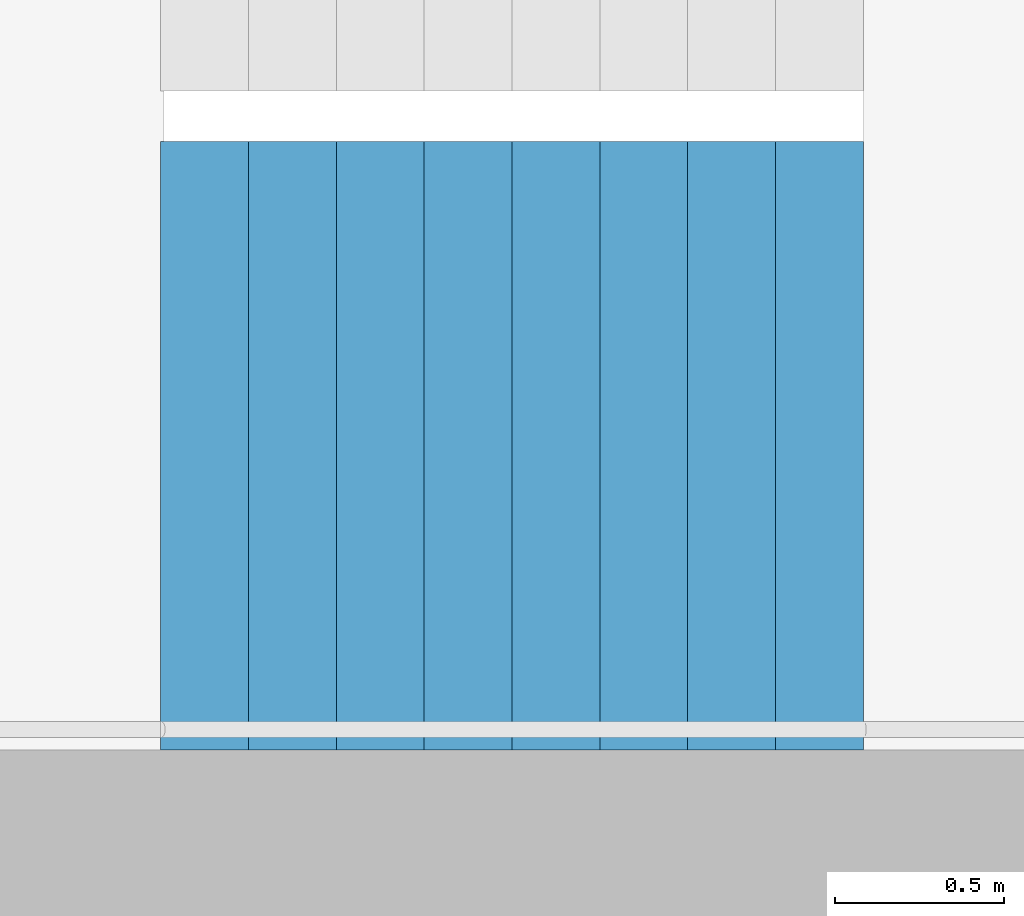
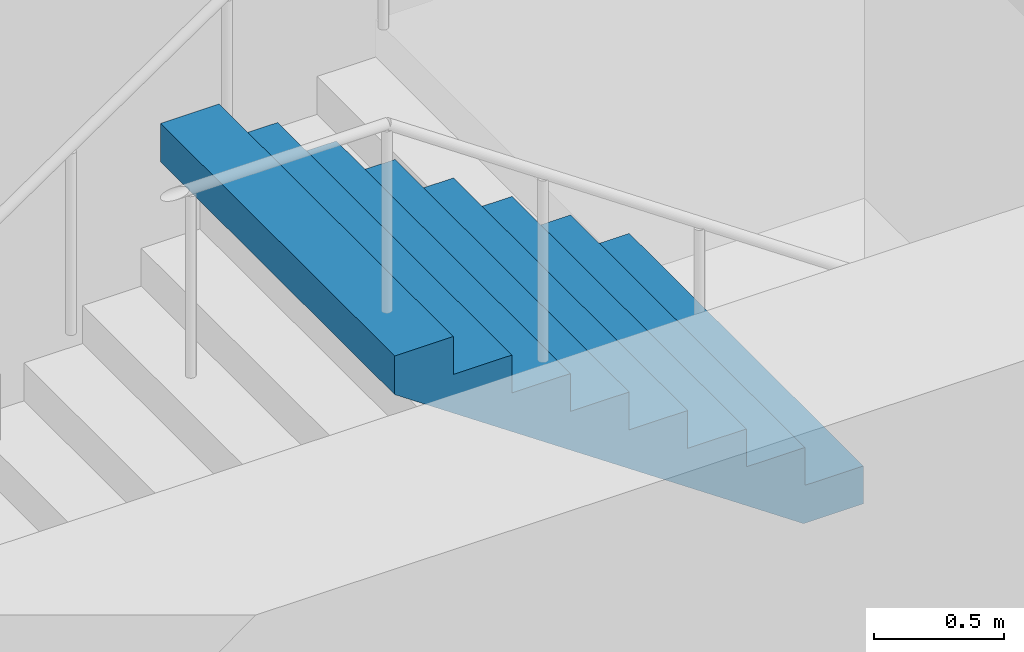
# One storey, part 22 of 26: 1 stair flight, 1 element without a shape of its own.
"""IFC4 building model written with IfcOpenShell, lengths in metres."""

from ifc_helpers import new_model, si_unit, direction, frame, origin, place, context, subcontext, project, spatial, triangles, material, type_object, element, aggregate, save


model = new_model("IFC4")

# Units and contexts
model_context = context("Model", 3, precision=1e-05, world=origin(), true_north=direction((0.0, 1.0)))
body_context = subcontext(model_context, "Body", "Model", "MODEL_VIEW")
ifc_project = project(units=[si_unit("LENGTHUNIT", "METRE"), si_unit("AREAUNIT", "SQUARE_METRE"), si_unit("VOLUMEUNIT", "CUBIC_METRE"), si_unit("PLANEANGLEUNIT", "RADIAN"), si_unit("MASSUNIT", "GRAM", prefix="KILO")], contexts=[model_context])

# Site, building, storey
site_placement = place(None, origin())
site = spatial("IfcSite", under=ifc_project, at=site_placement, CompositionType="ELEMENT")
building_placement = place(site_placement, origin())
building = spatial("IfcBuilding", under=site, at=building_placement, Name="Hakoniwa Tower and Hamabe Station Hall", CompositionType="ELEMENT")
storey_placement = place(building_placement, frame((0.0, 0.0, 156.60009765625)))
storey = spatial("IfcBuildingStorey", under=building, at=storey_placement, Name="L44", CompositionType="ELEMENT", Elevation=156.60009765625)

# Stair, stair flight
ifc_material_1 = material(Name="Concrete C40", Category="concrete")
stair_type = type_object("IfcStairType", Name="ESCAPE STAIR 1800", PredefinedType="HALF_TURN_STAIR", material=ifc_material_1)
stair_placement = place(storey_placement, origin())
stair = element("IfcStair", 1, at=stair_placement, inside=storey, type_object=stair_type, Name="Escape stair ST-4 L44", PredefinedType="HALF_TURN_STAIR")
ifc_material_2 = material(Name="Concrete C40", Category="concrete")
stair_flight_type = type_object("IfcStairFlightType", Name="STAIR FLIGHT 1800", PredefinedType="STRAIGHT", material=ifc_material_2)
stair_flight_placement = place(storey_placement, frame((25.47998046875, -6.60009765625, 1.599853515625), z_axis=(0.0, 0.0, 1.0), x_axis=(-1.0, 0.0, 0.0)))
stair_flight = element("IfcStairFlight", 2, at=stair_flight_placement, type_object=stair_flight_type, Name="ST-4 flight 2", NumberOfRisers=9, NumberOfTreads=8, PredefinedType="STRAIGHT", RiserHeight=0.177777778, TreadLength=0.26, context=body_context, shape_type="Tessellation", body=[
    triangles([(0.0, 0.89990234375, 0.0), (0.260009765625, 0.89990234375, 0.0), (0.265625, 0.89990234375, 0.0), (0.52001953125, 0.89990234375, 0.174072265625), (0.780029296875, 0.89990234375, 0.351806640625), (1.0400390625, 0.89990234375, 0.529541015625), (1.300048828125, 0.89990234375, 0.707275390625), (1.56005859375, 0.89990234375, 0.885009765625), (1.820068359375, 0.89990234375, 1.062744140625), (2.080078125, 0.89990234375, 1.24072265625), (2.080078125, 0.89990234375, 1.422119140625), (1.820068359375, 0.89990234375, 1.422119140625), (1.820068359375, 0.89990234375, 1.244384765625), (1.56005859375, 0.89990234375, 1.244384765625), (1.56005859375, 0.89990234375, 1.066650390625), (1.300048828125, 0.89990234375, 1.066650390625), (1.300048828125, 0.89990234375, 0.888916015625), (1.0400390625, 0.89990234375, 0.888916015625), (1.0400390625, 0.89990234375, 0.711181640625), (0.780029296875, 0.89990234375, 0.711181640625), (0.780029296875, 0.89990234375, 0.533447265625), (0.52001953125, 0.89990234375, 0.533447265625), (0.52001953125, 0.89990234375, 0.35546875), (0.265625, 0.89990234375, 0.35546875), (0.260009765625, 0.89990234375, 0.35546875), (0.260009765625, 0.89990234375, 0.177734375), (0.0, 0.89990234375, 0.177734375), (0.0, 0.06005859375, 0.0), (0.260009765625, 0.06005859375, 0.0), (0.265625, 0.06005859375, 0.0), (0.52001953125, 0.06005859375, 0.174072265625), (0.780029296875, 0.06005859375, 0.351806640625), (1.0400390625, 0.06005859375, 0.529541015625), (1.300048828125, 0.06005859375, 0.707275390625), (1.56005859375, 0.06005859375, 0.885009765625), (1.820068359375, 0.06005859375, 1.062744140625), (2.080078125, 0.06005859375, 1.24072265625), (2.080078125, 0.06005859375, 1.422119140625), (1.820068359375, 0.06005859375, 1.422119140625), (1.820068359375, 0.06005859375, 1.244384765625), (1.56005859375, 0.06005859375, 1.244384765625), (1.56005859375, 0.06005859375, 1.066650390625), (1.300048828125, 0.06005859375, 1.066650390625), (1.300048828125, 0.06005859375, 0.888916015625), (1.0400390625, 0.06005859375, 0.888916015625), (1.0400390625, 0.06005859375, 0.711181640625), (0.780029296875, 0.06005859375, 0.711181640625), (0.780029296875, 0.06005859375, 0.533447265625), (0.52001953125, 0.06005859375, 0.533447265625), (0.52001953125, 0.06005859375, 0.35546875), (0.265625, 0.06005859375, 0.35546875), (0.260009765625, 0.06005859375, 0.35546875), (0.260009765625, 0.06005859375, 0.177734375), (0.0, 0.06005859375, 0.177734375), (0.0, 0.04296875, 0.0), (0.260009765625, 0.04296875, 0.0), (0.265625, 0.04296875, 0.0), (0.52001953125, 0.04296875, 0.174072265625), (0.780029296875, 0.04296875, 0.351806640625), (1.0400390625, 0.04296875, 0.529541015625), (1.300048828125, 0.04296875, 0.707275390625), (1.56005859375, 0.04296875, 0.885009765625), (1.820068359375, 0.04296875, 1.062744140625), (2.080078125, 0.04296875, 1.24072265625), (2.080078125, 0.04296875, 1.422119140625), (1.820068359375, 0.04296875, 1.422119140625), (1.820068359375, 0.04296875, 1.244384765625), (1.56005859375, 0.04296875, 1.244384765625), (1.56005859375, 0.04296875, 1.066650390625), (1.300048828125, 0.04296875, 1.066650390625), (1.300048828125, 0.04296875, 0.888916015625), (1.0400390625, 0.04296875, 0.888916015625), (1.0400390625, 0.04296875, 0.711181640625), (0.780029296875, 0.04296875, 0.711181640625), (0.780029296875, 0.04296875, 0.533447265625), (0.52001953125, 0.04296875, 0.533447265625), (0.52001953125, 0.04296875, 0.35546875), (0.265625, 0.04296875, 0.35546875), (0.260009765625, 0.04296875, 0.35546875), (0.260009765625, 0.04296875, 0.177734375), (0.0, 0.04296875, 0.177734375), (0.0, 0.025634765625, 0.0), (0.260009765625, 0.025634765625, 0.0), (0.265625, 0.025634765625, 0.0), (0.52001953125, 0.025634765625, 0.174072265625), (0.780029296875, 0.025634765625, 0.351806640625), (1.0400390625, 0.025634765625, 0.529541015625), (1.300048828125, 0.025634765625, 0.707275390625), (1.56005859375, 0.025634765625, 0.885009765625), (1.820068359375, 0.025634765625, 1.062744140625), (2.080078125, 0.025634765625, 1.24072265625), (2.080078125, 0.025634765625, 1.422119140625), (1.820068359375, 0.025634765625, 1.422119140625), (1.820068359375, 0.025634765625, 1.244384765625), (1.56005859375, 0.025634765625, 1.244384765625), (1.56005859375, 0.025634765625, 1.066650390625), (1.300048828125, 0.025634765625, 1.066650390625), (1.300048828125, 0.025634765625, 0.888916015625), (1.0400390625, 0.025634765625, 0.888916015625), (1.0400390625, 0.025634765625, 0.711181640625), (0.780029296875, 0.025634765625, 0.711181640625), (0.780029296875, 0.025634765625, 0.533447265625), (0.52001953125, 0.025634765625, 0.533447265625), (0.52001953125, 0.025634765625, 0.35546875), (0.265625, 0.025634765625, 0.35546875), (0.260009765625, 0.025634765625, 0.35546875), (0.260009765625, 0.025634765625, 0.177734375), (0.0, 0.025634765625, 0.177734375), (0.0, 0.008544921875, 0.0), (0.260009765625, 0.008544921875, 0.0), (0.265625, 0.008544921875, 0.0), (0.52001953125, 0.008544921875, 0.174072265625), (0.780029296875, 0.008544921875, 0.351806640625), (1.0400390625, 0.008544921875, 0.529541015625), (1.300048828125, 0.008544921875, 0.707275390625), (1.56005859375, 0.008544921875, 0.885009765625), (1.820068359375, 0.008544921875, 1.062744140625), (2.080078125, 0.008544921875, 1.24072265625), (2.080078125, 0.008544921875, 1.422119140625), (1.820068359375, 0.008544921875, 1.422119140625), (1.820068359375, 0.008544921875, 1.244384765625), (1.56005859375, 0.008544921875, 1.244384765625), (1.56005859375, 0.008544921875, 1.066650390625), (1.300048828125, 0.008544921875, 1.066650390625), (1.300048828125, 0.008544921875, 0.888916015625), (1.0400390625, 0.008544921875, 0.888916015625), (1.0400390625, 0.008544921875, 0.711181640625), (0.780029296875, 0.008544921875, 0.711181640625), (0.780029296875, 0.008544921875, 0.533447265625), (0.52001953125, 0.008544921875, 0.533447265625), (0.52001953125, 0.008544921875, 0.35546875), (0.265625, 0.008544921875, 0.35546875), (0.260009765625, 0.008544921875, 0.35546875), (0.260009765625, 0.008544921875, 0.177734375), (0.0, 0.008544921875, 0.177734375), (0.0, -0.008544921875, 0.0), (0.260009765625, -0.008544921875, 0.0), (0.265625, -0.008544921875, 0.0), (0.52001953125, -0.008544921875, 0.174072265625), (0.780029296875, -0.008544921875, 0.351806640625), (1.0400390625, -0.008544921875, 0.529541015625), (1.300048828125, -0.008544921875, 0.707275390625), (1.56005859375, -0.008544921875, 0.885009765625), (1.820068359375, -0.008544921875, 1.062744140625), (2.080078125, -0.008544921875, 1.24072265625), (2.080078125, -0.008544921875, 1.422119140625), (1.820068359375, -0.008544921875, 1.422119140625), (1.820068359375, -0.008544921875, 1.244384765625), (1.56005859375, -0.008544921875, 1.244384765625), (1.56005859375, -0.008544921875, 1.066650390625), (1.300048828125, -0.008544921875, 1.066650390625), (1.300048828125, -0.008544921875, 0.888916015625), (1.0400390625, -0.008544921875, 0.888916015625), (1.0400390625, -0.008544921875, 0.711181640625), (0.780029296875, -0.008544921875, 0.711181640625), (0.780029296875, -0.008544921875, 0.533447265625), (0.52001953125, -0.008544921875, 0.533447265625), (0.52001953125, -0.008544921875, 0.35546875), (0.265625, -0.008544921875, 0.35546875), (0.260009765625, -0.008544921875, 0.35546875), (0.260009765625, -0.008544921875, 0.177734375), (0.0, -0.008544921875, 0.177734375), (0.0, -0.025634765625, 0.0), (0.260009765625, -0.025634765625, 0.0), (0.265625, -0.025634765625, 0.0), (0.52001953125, -0.025634765625, 0.174072265625), (0.780029296875, -0.025634765625, 0.351806640625), (1.0400390625, -0.025634765625, 0.529541015625), (1.300048828125, -0.025634765625, 0.707275390625), (1.56005859375, -0.025634765625, 0.885009765625), (1.820068359375, -0.025634765625, 1.062744140625), (2.080078125, -0.025634765625, 1.24072265625), (2.080078125, -0.025634765625, 1.422119140625), (1.820068359375, -0.025634765625, 1.422119140625), (1.820068359375, -0.025634765625, 1.244384765625), (1.56005859375, -0.025634765625, 1.244384765625), (1.56005859375, -0.025634765625, 1.066650390625), (1.300048828125, -0.025634765625, 1.066650390625), (1.300048828125, -0.025634765625, 0.888916015625), (1.0400390625, -0.025634765625, 0.888916015625), (1.0400390625, -0.025634765625, 0.711181640625), (0.780029296875, -0.025634765625, 0.711181640625), (0.780029296875, -0.025634765625, 0.533447265625), (0.52001953125, -0.025634765625, 0.533447265625), (0.52001953125, -0.025634765625, 0.35546875), (0.265625, -0.025634765625, 0.35546875), (0.260009765625, -0.025634765625, 0.35546875), (0.260009765625, -0.025634765625, 0.177734375), (0.0, -0.025634765625, 0.177734375), (0.0, -0.04296875, 0.0), (0.260009765625, -0.04296875, 0.0), (0.265625, -0.04296875, 0.0), (0.52001953125, -0.04296875, 0.174072265625), (0.780029296875, -0.04296875, 0.351806640625), (1.0400390625, -0.04296875, 0.529541015625), (1.300048828125, -0.04296875, 0.707275390625), (1.56005859375, -0.04296875, 0.885009765625), (1.820068359375, -0.04296875, 1.062744140625), (2.080078125, -0.04296875, 1.24072265625), (2.080078125, -0.04296875, 1.422119140625), (1.820068359375, -0.04296875, 1.422119140625), (1.820068359375, -0.04296875, 1.244384765625), (1.56005859375, -0.04296875, 1.244384765625), (1.56005859375, -0.04296875, 1.066650390625), (1.300048828125, -0.04296875, 1.066650390625), (1.300048828125, -0.04296875, 0.888916015625), (1.0400390625, -0.04296875, 0.888916015625), (1.0400390625, -0.04296875, 0.711181640625), (0.780029296875, -0.04296875, 0.711181640625), (0.780029296875, -0.04296875, 0.533447265625), (0.52001953125, -0.04296875, 0.533447265625), (0.52001953125, -0.04296875, 0.35546875), (0.265625, -0.04296875, 0.35546875), (0.260009765625, -0.04296875, 0.35546875), (0.260009765625, -0.04296875, 0.177734375), (0.0, -0.04296875, 0.177734375), (0.0, -0.06005859375, 0.0), (0.260009765625, -0.06005859375, 0.0), (0.265625, -0.06005859375, 0.0), (0.52001953125, -0.06005859375, 0.174072265625), (0.780029296875, -0.06005859375, 0.351806640625), (1.0400390625, -0.06005859375, 0.529541015625), (1.300048828125, -0.06005859375, 0.707275390625), (1.56005859375, -0.06005859375, 0.885009765625), (1.820068359375, -0.06005859375, 1.062744140625), (2.080078125, -0.06005859375, 1.24072265625), (2.080078125, -0.06005859375, 1.422119140625), (1.820068359375, -0.06005859375, 1.422119140625), (1.820068359375, -0.06005859375, 1.244384765625), (1.56005859375, -0.06005859375, 1.244384765625), (1.56005859375, -0.06005859375, 1.066650390625), (1.300048828125, -0.06005859375, 1.066650390625), (1.300048828125, -0.06005859375, 0.888916015625), (1.0400390625, -0.06005859375, 0.888916015625), (1.0400390625, -0.06005859375, 0.711181640625), (0.780029296875, -0.06005859375, 0.711181640625), (0.780029296875, -0.06005859375, 0.533447265625), (0.52001953125, -0.06005859375, 0.533447265625), (0.52001953125, -0.06005859375, 0.35546875), (0.265625, -0.06005859375, 0.35546875), (0.260009765625, -0.06005859375, 0.35546875), (0.260009765625, -0.06005859375, 0.177734375), (0.0, -0.06005859375, 0.177734375), (0.0, -0.89990234375, 0.0), (0.260009765625, -0.89990234375, 0.0), (0.265625, -0.89990234375, 0.0), (0.52001953125, -0.89990234375, 0.174072265625), (0.780029296875, -0.89990234375, 0.351806640625), (1.0400390625, -0.89990234375, 0.529541015625), (1.300048828125, -0.89990234375, 0.707275390625), (1.56005859375, -0.89990234375, 0.885009765625), (1.820068359375, -0.89990234375, 1.062744140625), (2.080078125, -0.89990234375, 1.24072265625), (2.080078125, -0.89990234375, 1.422119140625), (1.820068359375, -0.89990234375, 1.422119140625), (1.820068359375, -0.89990234375, 1.244384765625), (1.56005859375, -0.89990234375, 1.244384765625), (1.56005859375, -0.89990234375, 1.066650390625), (1.300048828125, -0.89990234375, 1.066650390625), (1.300048828125, -0.89990234375, 0.888916015625), (1.0400390625, -0.89990234375, 0.888916015625), (1.0400390625, -0.89990234375, 0.711181640625), (0.780029296875, -0.89990234375, 0.711181640625), (0.780029296875, -0.89990234375, 0.533447265625), (0.52001953125, -0.89990234375, 0.533447265625), (0.52001953125, -0.89990234375, 0.35546875), (0.265625, -0.89990234375, 0.35546875), (0.260009765625, -0.89990234375, 0.35546875), (0.260009765625, -0.89990234375, 0.177734375), (0.0, -0.89990234375, 0.177734375)], [[2, 27, 26], [245, 269, 270], [2, 1, 27], [245, 270, 244], [3, 25, 24], [246, 267, 268], [3, 26, 25], [246, 268, 269], [3, 2, 26], [246, 269, 245], [4, 24, 23], [247, 266, 267], [4, 3, 24], [247, 267, 246], [5, 22, 21], [248, 264, 265], [5, 23, 22], [248, 265, 266], [5, 4, 23], [248, 266, 247], [6, 20, 19], [249, 262, 263], [6, 21, 20], [249, 263, 264], [6, 5, 21], [249, 264, 248], [7, 18, 17], [250, 260, 261], [7, 19, 18], [250, 261, 262], [7, 6, 19], [250, 262, 249], [8, 16, 15], [251, 258, 259], [8, 17, 16], [251, 259, 260], [8, 7, 17], [251, 260, 250], [9, 14, 13], [252, 256, 257], [9, 15, 14], [252, 257, 258], [9, 8, 15], [252, 258, 251], [10, 12, 11], [253, 254, 255], [10, 13, 12], [253, 255, 256], [10, 9, 13], [253, 256, 252], [1, 2, 29], [1, 29, 28], [28, 29, 56], [28, 56, 55], [55, 56, 83], [55, 83, 82], [82, 83, 110], [82, 110, 109], [109, 110, 137], [109, 137, 136], [136, 137, 164], [136, 164, 163], [163, 164, 191], [163, 191, 190], [190, 191, 218], [190, 218, 217], [217, 218, 245], [217, 245, 244], [2, 3, 30], [2, 30, 29], [29, 30, 57], [29, 57, 56], [56, 57, 84], [56, 84, 83], [83, 84, 111], [83, 111, 110], [110, 111, 138], [110, 138, 137], [137, 138, 165], [137, 165, 164], [164, 165, 192], [164, 192, 191], [191, 192, 219], [191, 219, 218], [218, 219, 246], [218, 246, 245], [3, 4, 31], [3, 31, 30], [30, 31, 58], [30, 58, 57], [57, 58, 85], [57, 85, 84], [84, 85, 112], [84, 112, 111], [111, 112, 139], [111, 139, 138], [138, 139, 166], [138, 166, 165], [165, 166, 193], [165, 193, 192], [192, 193, 220], [192, 220, 219], [219, 220, 247], [219, 247, 246], [4, 5, 32], [4, 32, 31], [31, 32, 59], [31, 59, 58], [58, 59, 86], [58, 86, 85], [85, 86, 113], [85, 113, 112], [112, 113, 140], [112, 140, 139], [139, 140, 167], [139, 167, 166], [166, 167, 194], [166, 194, 193], [193, 194, 221], [193, 221, 220], [220, 221, 248], [220, 248, 247], [5, 6, 33], [5, 33, 32], [32, 33, 60], [32, 60, 59], [59, 60, 87], [59, 87, 86], [86, 87, 114], [86, 114, 113], [113, 114, 141], [113, 141, 140], [140, 141, 168], [140, 168, 167], [167, 168, 195], [167, 195, 194], [194, 195, 222], [194, 222, 221], [221, 222, 249], [221, 249, 248], [6, 7, 34], [6, 34, 33], [33, 34, 61], [33, 61, 60], [60, 61, 88], [60, 88, 87], [87, 88, 115], [87, 115, 114], [114, 115, 142], [114, 142, 141], [141, 142, 169], [141, 169, 168], [168, 169, 196], [168, 196, 195], [195, 196, 223], [195, 223, 222], [222, 223, 250], [222, 250, 249], [7, 8, 35], [7, 35, 34], [34, 35, 62], [34, 62, 61], [61, 62, 89], [61, 89, 88], [88, 89, 116], [88, 116, 115], [115, 116, 143], [115, 143, 142], [142, 143, 170], [142, 170, 169], [169, 170, 197], [169, 197, 196], [196, 197, 224], [196, 224, 223], [223, 224, 251], [223, 251, 250], [8, 9, 36], [8, 36, 35], [35, 36, 63], [35, 63, 62], [62, 63, 90], [62, 90, 89], [89, 90, 117], [89, 117, 116], [116, 117, 144], [116, 144, 143], [143, 144, 171], [143, 171, 170], [170, 171, 198], [170, 198, 197], [197, 198, 225], [197, 225, 224], [224, 225, 252], [224, 252, 251], [9, 10, 37], [9, 37, 36], [36, 37, 64], [36, 64, 63], [63, 64, 91], [63, 91, 90], [90, 91, 118], [90, 118, 117], [117, 118, 145], [117, 145, 144], [144, 145, 172], [144, 172, 171], [171, 172, 199], [171, 199, 198], [198, 199, 226], [198, 226, 225], [225, 226, 253], [225, 253, 252], [10, 11, 38], [10, 38, 37], [37, 38, 65], [37, 65, 64], [64, 65, 92], [64, 92, 91], [91, 92, 119], [91, 119, 118], [118, 119, 146], [118, 146, 145], [145, 146, 173], [145, 173, 172], [172, 173, 200], [172, 200, 199], [199, 200, 227], [199, 227, 226], [226, 227, 254], [226, 254, 253], [11, 12, 39], [11, 39, 38], [38, 39, 66], [38, 66, 65], [65, 66, 93], [65, 93, 92], [92, 93, 120], [92, 120, 119], [119, 120, 147], [119, 147, 146], [146, 147, 174], [146, 174, 173], [173, 174, 201], [173, 201, 200], [200, 201, 228], [200, 228, 227], [227, 228, 255], [227, 255, 254], [12, 13, 40], [12, 40, 39], [39, 40, 67], [39, 67, 66], [66, 67, 94], [66, 94, 93], [93, 94, 121], [93, 121, 120], [120, 121, 148], [120, 148, 147], [147, 148, 175], [147, 175, 174], [174, 175, 202], [174, 202, 201], [201, 202, 229], [201, 229, 228], [228, 229, 256], [228, 256, 255], [13, 14, 41], [13, 41, 40], [40, 41, 68], [40, 68, 67], [67, 68, 95], [67, 95, 94], [94, 95, 122], [94, 122, 121], [121, 122, 149], [121, 149, 148], [148, 149, 176], [148, 176, 175], [175, 176, 203], [175, 203, 202], [202, 203, 230], [202, 230, 229], [229, 230, 257], [229, 257, 256], [14, 15, 42], [14, 42, 41], [41, 42, 69], [41, 69, 68], [68, 69, 96], [68, 96, 95], [95, 96, 123], [95, 123, 122], [122, 123, 150], [122, 150, 149], [149, 150, 177], [149, 177, 176], [176, 177, 204], [176, 204, 203], [203, 204, 231], [203, 231, 230], [230, 231, 258], [230, 258, 257], [15, 16, 43], [15, 43, 42], [42, 43, 70], [42, 70, 69], [69, 70, 97], [69, 97, 96], [96, 97, 124], [96, 124, 123], [123, 124, 151], [123, 151, 150], [150, 151, 178], [150, 178, 177], [177, 178, 205], [177, 205, 204], [204, 205, 232], [204, 232, 231], [231, 232, 259], [231, 259, 258], [16, 17, 44], [16, 44, 43], [43, 44, 71], [43, 71, 70], [70, 71, 98], [70, 98, 97], [97, 98, 125], [97, 125, 124], [124, 125, 152], [124, 152, 151], [151, 152, 179], [151, 179, 178], [178, 179, 206], [178, 206, 205], [205, 206, 233], [205, 233, 232], [232, 233, 260], [232, 260, 259], [17, 18, 45], [17, 45, 44], [44, 45, 72], [44, 72, 71], [71, 72, 99], [71, 99, 98], [98, 99, 126], [98, 126, 125], [125, 126, 153], [125, 153, 152], [152, 153, 180], [152, 180, 179], [179, 180, 207], [179, 207, 206], [206, 207, 234], [206, 234, 233], [233, 234, 261], [233, 261, 260], [18, 19, 46], [18, 46, 45], [45, 46, 73], [45, 73, 72], [72, 73, 100], [72, 100, 99], [99, 100, 127], [99, 127, 126], [126, 127, 154], [126, 154, 153], [153, 154, 181], [153, 181, 180], [180, 181, 208], [180, 208, 207], [207, 208, 235], [207, 235, 234], [234, 235, 262], [234, 262, 261], [19, 20, 47], [19, 47, 46], [46, 47, 74], [46, 74, 73], [73, 74, 101], [73, 101, 100], [100, 101, 128], [100, 128, 127], [127, 128, 155], [127, 155, 154], [154, 155, 182], [154, 182, 181], [181, 182, 209], [181, 209, 208], [208, 209, 236], [208, 236, 235], [235, 236, 263], [235, 263, 262], [20, 21, 48], [20, 48, 47], [47, 48, 75], [47, 75, 74], [74, 75, 102], [74, 102, 101], [101, 102, 129], [101, 129, 128], [128, 129, 156], [128, 156, 155], [155, 156, 183], [155, 183, 182], [182, 183, 210], [182, 210, 209], [209, 210, 237], [209, 237, 236], [236, 237, 264], [236, 264, 263], [21, 22, 49], [21, 49, 48], [48, 49, 76], [48, 76, 75], [75, 76, 103], [75, 103, 102], [102, 103, 130], [102, 130, 129], [129, 130, 157], [129, 157, 156], [156, 157, 184], [156, 184, 183], [183, 184, 211], [183, 211, 210], [210, 211, 238], [210, 238, 237], [237, 238, 265], [237, 265, 264], [22, 23, 50], [22, 50, 49], [49, 50, 77], [49, 77, 76], [76, 77, 104], [76, 104, 103], [103, 104, 131], [103, 131, 130], [130, 131, 158], [130, 158, 157], [157, 158, 185], [157, 185, 184], [184, 185, 212], [184, 212, 211], [211, 212, 239], [211, 239, 238], [238, 239, 266], [238, 266, 265], [23, 24, 51], [23, 51, 50], [50, 51, 78], [50, 78, 77], [77, 78, 105], [77, 105, 104], [104, 105, 132], [104, 132, 131], [131, 132, 159], [131, 159, 158], [158, 159, 186], [158, 186, 185], [185, 186, 213], [185, 213, 212], [212, 213, 240], [212, 240, 239], [239, 240, 267], [239, 267, 266], [24, 25, 52], [24, 52, 51], [51, 52, 79], [51, 79, 78], [78, 79, 106], [78, 106, 105], [105, 106, 133], [105, 133, 132], [132, 133, 160], [132, 160, 159], [159, 160, 187], [159, 187, 186], [186, 187, 214], [186, 214, 213], [213, 214, 241], [213, 241, 240], [240, 241, 268], [240, 268, 267], [25, 26, 53], [25, 53, 52], [52, 53, 80], [52, 80, 79], [79, 80, 107], [79, 107, 106], [106, 107, 134], [106, 134, 133], [133, 134, 161], [133, 161, 160], [160, 161, 188], [160, 188, 187], [187, 188, 215], [187, 215, 214], [214, 215, 242], [214, 242, 241], [241, 242, 269], [241, 269, 268], [26, 27, 54], [26, 54, 53], [53, 54, 81], [53, 81, 80], [80, 81, 108], [80, 108, 107], [107, 108, 135], [107, 135, 134], [134, 135, 162], [134, 162, 161], [161, 162, 189], [161, 189, 188], [188, 189, 216], [188, 216, 215], [215, 216, 243], [215, 243, 242], [242, 243, 270], [242, 270, 269], [27, 1, 28], [27, 28, 54], [54, 28, 55], [54, 55, 81], [81, 55, 82], [81, 82, 108], [108, 82, 109], [108, 109, 135], [135, 109, 136], [135, 136, 162], [162, 136, 163], [162, 163, 189], [189, 163, 190], [189, 190, 216], [216, 190, 217], [216, 217, 243], [243, 217, 244], [243, 244, 270]], closed=True),
])
aggregate(stair, [stair_flight])

save(model, "model.ifc")
